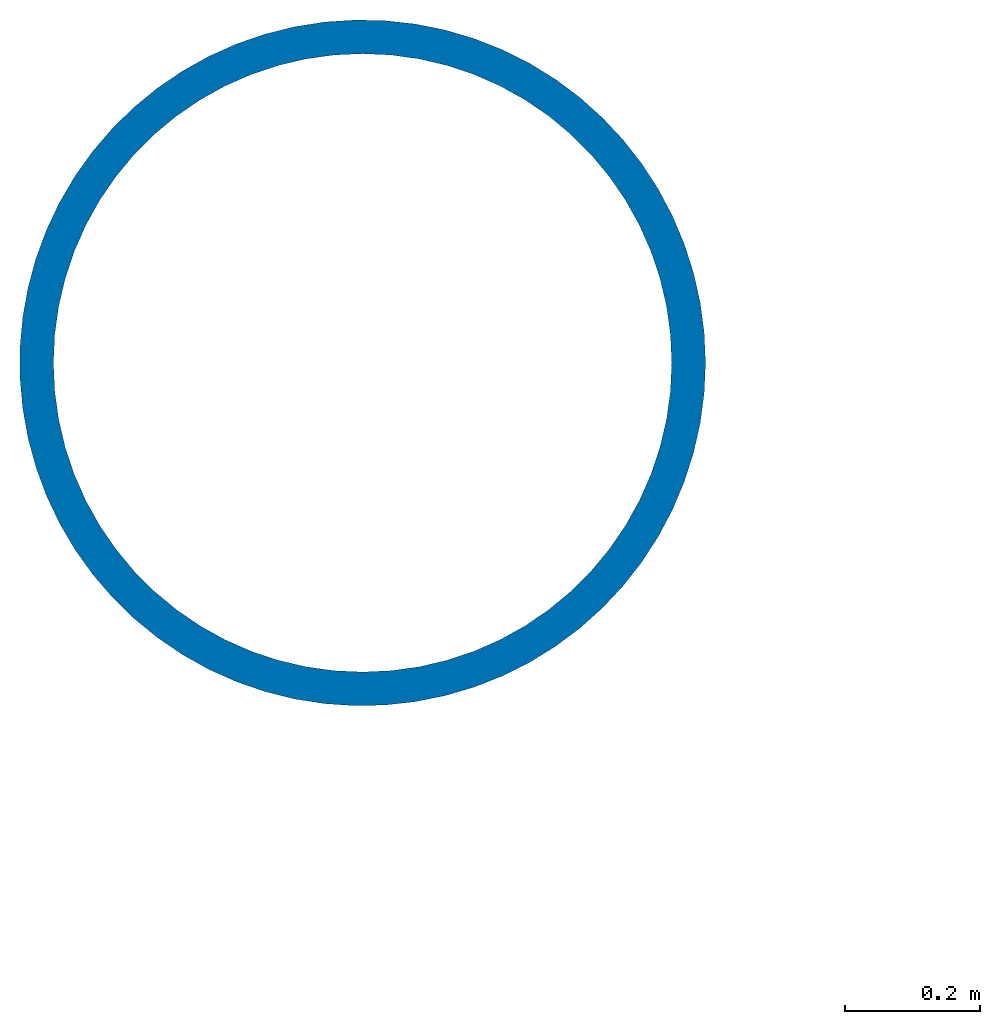
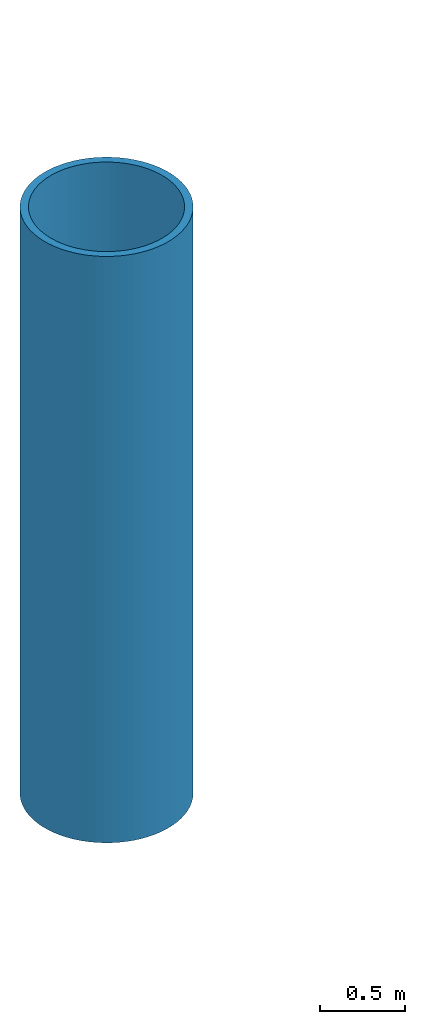
# One storey, part 5 of 17: 1 column.
"""IFC4 building model written with IfcOpenShell, lengths in metres."""

from ifc_helpers import new_model, si_unit, direction, frame, origin, origin_2d, place, context, subcontext, project, spatial, hollow_circle, extrude, material, material_profile, profile_set, type_object, element, save


model = new_model("IFC4")

# Units and contexts
model_context = context("Model", 3, precision=1e-05, world=origin(), true_north=direction((0.0, 1.0)))
body_context = subcontext(model_context, "Body", "Model", "MODEL_VIEW")
ifc_project = project(units=[si_unit("LENGTHUNIT", "METRE"), si_unit("AREAUNIT", "SQUARE_METRE"), si_unit("VOLUMEUNIT", "CUBIC_METRE"), si_unit("PLANEANGLEUNIT", "RADIAN"), si_unit("MASSUNIT", "GRAM", prefix="KILO")], contexts=[model_context])

# Site, building, storey
site_placement = place(None, origin())
site = spatial("IfcSite", under=ifc_project, at=site_placement, CompositionType="ELEMENT")
building_placement = place(site_placement, origin())
building = spatial("IfcBuilding", under=site, at=building_placement, Name="Cresset Court Congress Hotel", CompositionType="ELEMENT")
storey_placement = place(building_placement, frame((0.0, 0.0, 31.199951171875)))
storey = spatial("IfcBuildingStorey", under=building, at=storey_placement, Name="L07", CompositionType="ELEMENT", Elevation=31.199951171875)

# Column
ifc_material = material(Name="Structural steel Q355B", Category="steel")
ifc_material_profile = material_profile(ifc_material, hollow_circle(Radius=0.508056640625, WallThickness=0.050048828125, at=origin_2d()), Name="CHS1016x50")
ifc_profile_set = profile_set([ifc_material_profile], Name="Structural steel Q355B")
column_type = type_object("IfcColumnType", Name="Mast tube 1016x50", PredefinedType="COLUMN", material=ifc_profile_set)
column_placement = place(storey_placement, frame((55.800048828125, 120.60009765625, 0.0), z_axis=(0.0, 0.0, 1.0), x_axis=(1.0, 0.0, 0.0)))
element("IfcColumn", 1, at=column_placement, inside=storey, type_object=column_type, Name="Mast M4", PredefinedType="COLUMN", context=body_context, shape_type="SweptSolid", body=[
    extrude(hollow_circle(Radius=0.508056640625, WallThickness=0.050048828125, at=origin_2d()), origin(), (0.0, 0.0, 1.0), 4.199951171875),
])

save(model, "model.ifc")
